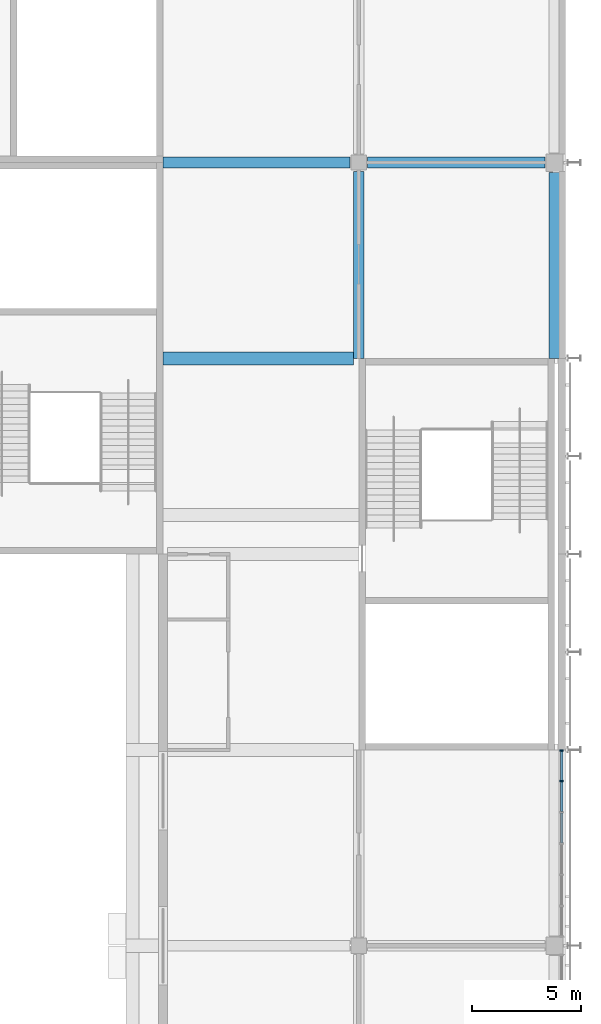
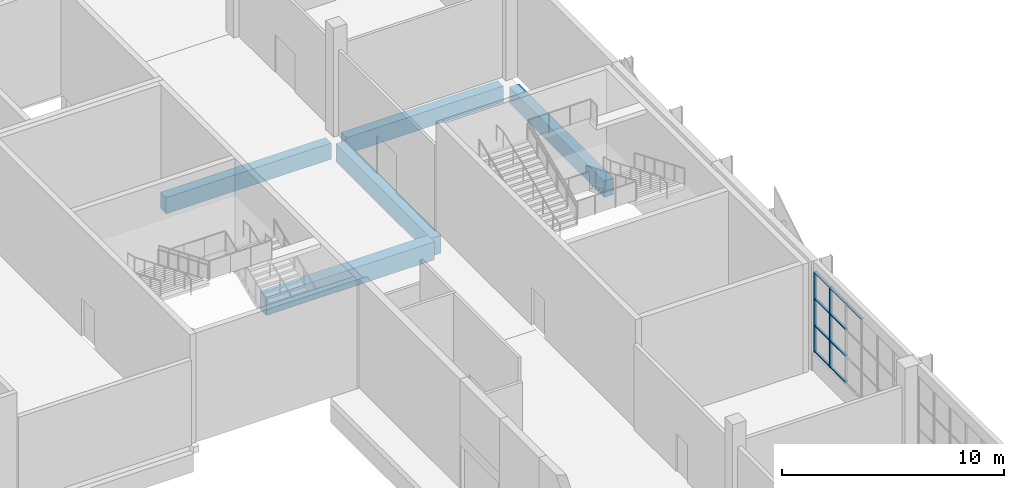
# One storey, part 22 of 89: 11 members, 5 beams, 1 element without a shape of its own.
"""IFC4 building model written with IfcOpenShell, lengths in metres."""

from ifc_helpers import new_model, si_unit, direction, frame, origin, origin_2d, place, context, subcontext, project, spatial, rectangle, extrude, material, material_profile, profile_set, type_object, element, aggregate, save


model = new_model("IFC4")

# Units and contexts
model_context = context("Model", 3, precision=1e-05, world=origin(), true_north=direction((0.0, 1.0)))
body_context = subcontext(model_context, "Body", "Model", "MODEL_VIEW")
ifc_project = project(units=[si_unit("LENGTHUNIT", "METRE"), si_unit("AREAUNIT", "SQUARE_METRE"), si_unit("VOLUMEUNIT", "CUBIC_METRE"), si_unit("PLANEANGLEUNIT", "RADIAN"), si_unit("MASSUNIT", "GRAM", prefix="KILO")], contexts=[model_context])

# Site, building, storey
site_placement = place(None, origin())
site = spatial("IfcSite", under=ifc_project, at=site_placement, CompositionType="ELEMENT")
building_placement = place(site_placement, origin())
building = spatial("IfcBuilding", under=site, at=building_placement, Name="Silverbay Arena", CompositionType="ELEMENT")
storey_placement = place(building_placement, frame((0.0, 0.0, 22.0)))
storey = spatial("IfcBuildingStorey", under=building, at=storey_placement, Name="L03", CompositionType="ELEMENT", Elevation=22.0)

# Curtain wall, members
ifc_material_1 = material(Name="Aluminium framed curtain wall", Category="aluminium")
curtain_wall_type = type_object("IfcCurtainWallType", Name="Curtain wall 8600 x 4400", PredefinedType="NOTDEFINED", material=ifc_material_1)
curtain_wall_placement = place(storey_placement, origin())
curtain_wall = element("IfcCurtainWall", 1, at=curtain_wall_placement, inside=storey, type_object=curtain_wall_type, Name="East curtain wall L03 bay 8", PredefinedType="NOTDEFINED")
ifc_material_2 = material(Name="Aluminium", Category="aluminium")
ifc_material_profile_1 = material_profile(ifc_material_2, rectangle(XDim=0.159912109375, YDim=0.06005859375, at=origin_2d()), Name="Mullion 60 x 160")
ifc_profile_set_1 = profile_set([ifc_material_profile_1], Name="Aluminium")
member_type_1 = type_object("IfcMemberType", Name="Mullion 60 x 160", PredefinedType="MULLION", material=ifc_profile_set_1)
member_1_placement = place(storey_placement, frame((207.330078125, 88.566650390625, 1.0), z_axis=(0.0, 0.0, 1.0), x_axis=(-1.0, 0.0, 0.0)))
member_1 = element("IfcMember", 2, at=member_1_placement, type_object=member_type_1, Name="CW12 mullion 6", PredefinedType="MULLION", context=body_context, shape_type="SweptSolid", body=[
    extrude(rectangle(XDim=0.159912109375, YDim=0.06005859375, at=origin_2d()), origin(), (0.0, 0.0, 1.0), 4.39990234375),
])
member_2_placement = place(storey_placement, frame((207.330078125, 89.969970703125, 1.0), z_axis=(0.0, 0.0, 1.0), x_axis=(-1.0, 0.0, 0.0)))
member_2 = element("IfcMember", 3, at=member_2_placement, type_object=member_type_1, Name="CW12 mullion 7", PredefinedType="MULLION", context=body_context, shape_type="SweptSolid", body=[
    extrude(rectangle(XDim=0.159912109375, YDim=0.06005859375, at=origin_2d()), origin(), (0.0, 0.0, 1.0), 4.39990234375),
])

# Beams
ifc_material_3 = material(Name="Concrete Grade C45", Category="concrete")
ifc_material_profile_2 = material_profile(ifc_material_3, rectangle(XDim=0.5, YDim=1.0, at=origin_2d()), Name="RC 500x1000")
ifc_profile_set_2 = profile_set([ifc_material_profile_2], Name="Concrete Grade C45")
beam_type_1 = type_object("IfcBeamType", Name="RC beam 500x1000", PredefinedType="BEAM", material=ifc_profile_set_2)
beam_1_placement = place(storey_placement, frame((198.0, 108.0, -0.85009765625), z_axis=(0.0, 1.0, 0.0), x_axis=(-1.0, 0.0, 0.0)))
element("IfcBeam", 4, at=beam_1_placement, inside=storey, type_object=beam_type_1, Name="Floor beam L03 168", PredefinedType="BEAM", context=body_context, shape_type="SweptSolid", body=[
    extrude(rectangle(XDim=0.5, YDim=1.0, at=origin_2d()), origin(), (0.0, 0.0, 1.0), 8.60009765625),
])
ifc_material_4 = material(Name="Concrete Grade C45", Category="concrete")
ifc_material_profile_3 = material_profile(ifc_material_4, rectangle(XDim=0.5, YDim=0.89990234375, at=origin_2d()), Name="RC 500x900")
ifc_profile_set_3 = profile_set([ifc_material_profile_3], Name="Concrete Grade C45")
beam_type_2 = type_object("IfcBeamType", Name="RC beam 500x900", PredefinedType="BEAM", material=ifc_profile_set_3)
beam_2_placement = place(storey_placement, frame((189.0, 117.0, -0.800048828125), z_axis=(1.0, 0.0, 0.0), x_axis=(0.0, 1.0, 0.0)))
element("IfcBeam", 5, at=beam_2_placement, inside=storey, type_object=beam_type_2, Name="Floor beam L03 067", PredefinedType="BEAM", context=body_context, shape_type="SweptSolid", body=[
    extrude(rectangle(XDim=0.5, YDim=0.89990234375, at=origin_2d()), origin(), (0.0, 0.0, 1.0), 8.60009765625),
])
beam_3_placement = place(storey_placement, frame((198.39990234375, 117.0, -0.800048828125), z_axis=(1.0, 0.0, 0.0), x_axis=(0.0, 1.0, 0.0)))
element("IfcBeam", 6, at=beam_3_placement, inside=storey, type_object=beam_type_2, Name="Floor beam L03 068", PredefinedType="BEAM", context=body_context, shape_type="SweptSolid", body=[
    extrude(rectangle(XDim=0.5, YDim=0.89990234375, at=origin_2d()), origin(), (0.0, 0.0, 1.0), 8.150146484375),
])
beam_4_placement = place(storey_placement, frame((207.0, 108.0, -0.800048828125), z_axis=(0.0, 1.0, 0.0), x_axis=(-1.0, 0.0, 0.0)))
element("IfcBeam", 7, at=beam_4_placement, inside=storey, type_object=beam_type_2, Name="Floor beam L03 176", PredefinedType="BEAM", context=body_context, shape_type="SweptSolid", body=[
    extrude(rectangle(XDim=0.5, YDim=0.89990234375, at=origin_2d()), origin(), (0.0, 0.0, 1.0), 8.550048828125),
])
ifc_material_5 = material(Name="Concrete Grade C45", Category="concrete")
ifc_material_profile_4 = material_profile(ifc_material_5, rectangle(XDim=0.60009765625, YDim=1.0, at=origin_2d()), Name="RC 600x1000")
ifc_profile_set_4 = profile_set([ifc_material_profile_4], Name="Concrete Grade C45")
beam_type_3 = type_object("IfcBeamType", Name="RC beam 600x1000", PredefinedType="BEAM", material=ifc_profile_set_4)
beam_5_placement = place(storey_placement, frame((189.0, 108.0, -0.85009765625), z_axis=(1.0, 0.0, 0.0), x_axis=(0.0, 1.0, 0.0)))
element("IfcBeam", 8, at=beam_5_placement, inside=storey, type_object=beam_type_3, Name="Floor beam L03 062", PredefinedType="BEAM", context=body_context, shape_type="SweptSolid", body=[
    extrude(rectangle(XDim=0.60009765625, YDim=1.0, at=origin_2d()), origin(), (0.0, 0.0, 1.0), 8.75),
])

# Member
ifc_material_6 = material(Name="Aluminium", Category="aluminium")
ifc_material_profile_5 = material_profile(ifc_material_6, rectangle(XDim=0.1201171875, YDim=0.050048828125, at=origin_2d()), Name="Transom 50 x 120")
ifc_profile_set_5 = profile_set([ifc_material_profile_5], Name="Aluminium")
member_type_2 = type_object("IfcMemberType", Name="Transom 50 x 120", PredefinedType="USERDEFINED", material=ifc_profile_set_5)
member_3_placement = place(storey_placement, frame((207.330078125, 85.72998046875, 5.375), z_axis=(0.0, 1.0, 0.0), x_axis=(-1.0, 0.0, 0.0)))
member_3 = element("IfcMember", 9, at=member_3_placement, type_object=member_type_2, Name="CW12 transom 4.4", ObjectType="TRANSOM", PredefinedType="USERDEFINED", context=body_context, shape_type="SweptSolid", body=[
    extrude(rectangle(XDim=0.1201171875, YDim=0.050048828125, at=origin_2d()), origin(), (0.0, 0.0, 1.0), 1.373291015625),
])

member_4_placement = place(storey_placement, frame((207.330078125, 87.163330078125, 1.02490234375), z_axis=(0.0, 1.0, 0.0), x_axis=(-1.0, 0.0, 0.0)))
member_4 = element("IfcMember", 10, at=member_4_placement, type_object=member_type_2, Name="CW12 transom 5.1", ObjectType="TRANSOM", PredefinedType="USERDEFINED", context=body_context, shape_type="SweptSolid", body=[
    extrude(rectangle(XDim=0.1201171875, YDim=0.050048828125, at=origin_2d()), origin(), (0.0, 0.0, 1.0), 1.373291015625),
])

member_5_placement = place(storey_placement, frame((207.330078125, 87.163330078125, 2.466552734375), z_axis=(0.0, 1.0, 0.0), x_axis=(-1.0, 0.0, 0.0)))
member_5 = element("IfcMember", 11, at=member_5_placement, type_object=member_type_2, Name="CW12 transom 5.2", ObjectType="TRANSOM", PredefinedType="USERDEFINED", context=body_context, shape_type="SweptSolid", body=[
    extrude(rectangle(XDim=0.1201171875, YDim=0.050048828125, at=origin_2d()), origin(), (0.0, 0.0, 1.0), 1.373291015625),
])

member_6_placement = place(storey_placement, frame((207.330078125, 87.163330078125, 3.933349609375), z_axis=(0.0, 1.0, 0.0), x_axis=(-1.0, 0.0, 0.0)))
member_6 = element("IfcMember", 12, at=member_6_placement, type_object=member_type_2, Name="CW12 transom 5.3", ObjectType="TRANSOM", PredefinedType="USERDEFINED", context=body_context, shape_type="SweptSolid", body=[
    extrude(rectangle(XDim=0.1201171875, YDim=0.050048828125, at=origin_2d()), origin(), (0.0, 0.0, 1.0), 1.373291015625),
])

member_7_placement = place(storey_placement, frame((207.330078125, 87.163330078125, 5.375), z_axis=(0.0, 1.0, 0.0), x_axis=(-1.0, 0.0, 0.0)))
member_7 = element("IfcMember", 13, at=member_7_placement, type_object=member_type_2, Name="CW12 transom 5.4", ObjectType="TRANSOM", PredefinedType="USERDEFINED", context=body_context, shape_type="SweptSolid", body=[
    extrude(rectangle(XDim=0.1201171875, YDim=0.050048828125, at=origin_2d()), origin(), (0.0, 0.0, 1.0), 1.373291015625),
])

member_8_placement = place(storey_placement, frame((207.330078125, 88.5966796875, 1.02490234375), z_axis=(0.0, 1.0, 0.0), x_axis=(-1.0, 0.0, 0.0)))
member_8 = element("IfcMember", 14, at=member_8_placement, type_object=member_type_2, Name="CW12 transom 6.1", ObjectType="TRANSOM", PredefinedType="USERDEFINED", context=body_context, shape_type="SweptSolid", body=[
    extrude(rectangle(XDim=0.1201171875, YDim=0.050048828125, at=origin_2d()), origin(), (0.0, 0.0, 1.0), 1.34326171875),
])

member_9_placement = place(storey_placement, frame((207.330078125, 88.5966796875, 2.466552734375), z_axis=(0.0, 1.0, 0.0), x_axis=(-1.0, 0.0, 0.0)))
member_9 = element("IfcMember", 15, at=member_9_placement, type_object=member_type_2, Name="CW12 transom 6.2", ObjectType="TRANSOM", PredefinedType="USERDEFINED", context=body_context, shape_type="SweptSolid", body=[
    extrude(rectangle(XDim=0.1201171875, YDim=0.050048828125, at=origin_2d()), origin(), (0.0, 0.0, 1.0), 1.34326171875),
])

member_10_placement = place(storey_placement, frame((207.330078125, 88.5966796875, 3.933349609375), z_axis=(0.0, 1.0, 0.0), x_axis=(-1.0, 0.0, 0.0)))
member_10 = element("IfcMember", 16, at=member_10_placement, type_object=member_type_2, Name="CW12 transom 6.3", ObjectType="TRANSOM", PredefinedType="USERDEFINED", context=body_context, shape_type="SweptSolid", body=[
    extrude(rectangle(XDim=0.1201171875, YDim=0.050048828125, at=origin_2d()), origin(), (0.0, 0.0, 1.0), 1.34326171875),
])

member_11_placement = place(storey_placement, frame((207.330078125, 88.5966796875, 5.375), z_axis=(0.0, 1.0, 0.0), x_axis=(-1.0, 0.0, 0.0)))
member_11 = element("IfcMember", 17, at=member_11_placement, type_object=member_type_2, Name="CW12 transom 6.4", ObjectType="TRANSOM", PredefinedType="USERDEFINED", context=body_context, shape_type="SweptSolid", body=[
    extrude(rectangle(XDim=0.1201171875, YDim=0.050048828125, at=origin_2d()), origin(), (0.0, 0.0, 1.0), 1.34326171875),
])

aggregate(curtain_wall, [member_1, member_2, member_3, member_4, member_5, member_6, member_7, member_8, member_9, member_10, member_11])

save(model, "model.ifc")
